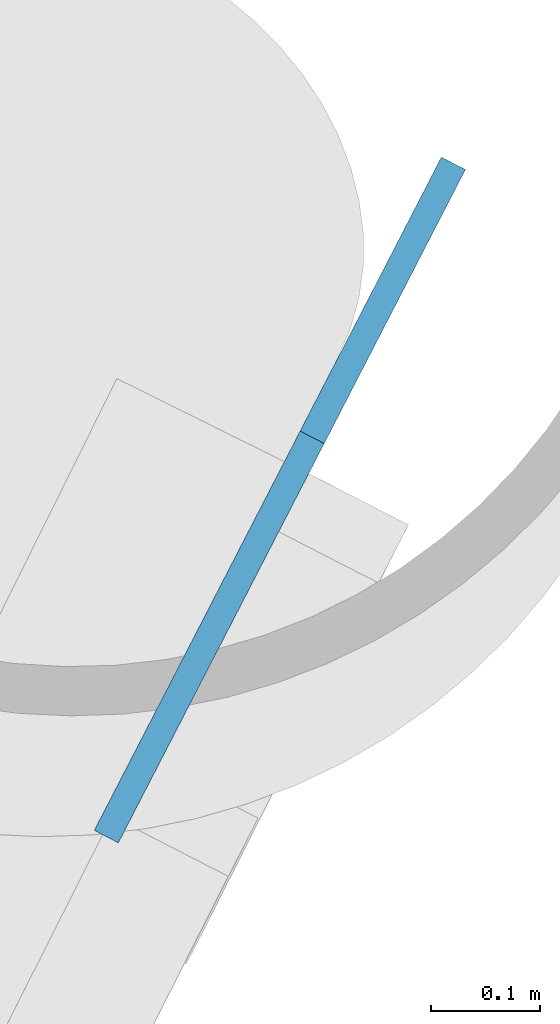
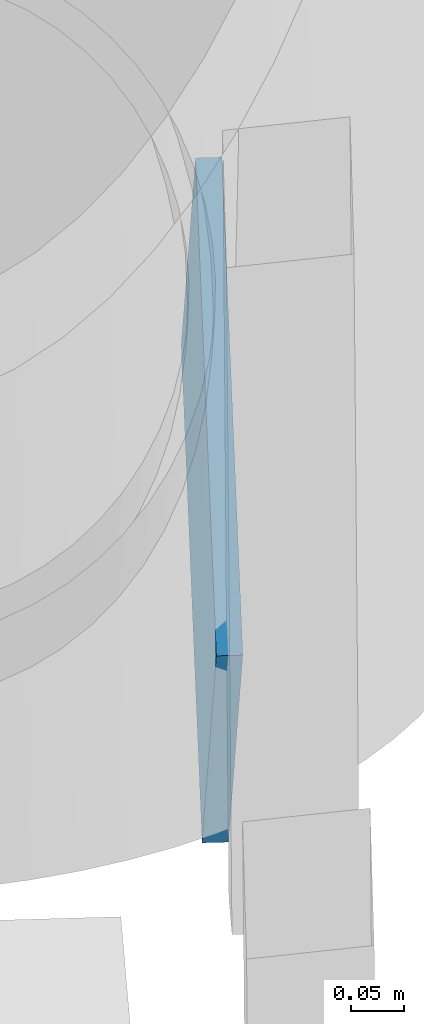
# One storey, part 15 of 24: 1 discrete accessory.
"""IFC4 building model written with IfcOpenShell, lengths in metres."""

import ifcopenshell
import ifcopenshell.guid

model = None  # the IFC model being written
_history = None  # IfcOwnerHistory: only IFC2X3 demands one
_inside = {}  # id of a spatial element -> (the spatial element, [elements in it])
_under = {}  # id of a project, library or spatial element -> (it, [spatial elements below it])
_declared = {}  # id of a project -> (the project, [libraries it declares])
_typed = {}  # id of a type object -> (the type object, [elements of that type])
_made_of = {}  # id of a material, layer set ... -> (it, [elements and type objects made of it])


def new_model(schema):
    """Start an empty IFC model of exactly this schema.

    Asked for "IFC4X3", IfcOpenShell would pick the latest addendum, in which some entities
    have other attributes; the version numbers below select the first issue.
    IFC2X3 requires an IfcOwnerHistory on every rooted entity: one is made here for all.
    """
    global model, _history
    if schema == "IFC4X3":
        model = ifcopenshell.file(schema_version=(4, 3, 0, 0))
    else:
        model = ifcopenshell.file(schema=schema)
    _inside.clear()
    _under.clear()
    _declared.clear()
    _typed.clear()
    _made_of.clear()
    _history = None
    if model.schema == "IFC2X3":
        org = make("IfcOrganization", Name="unknown")
        user = make(
            "IfcPersonAndOrganization",
            ThePerson=make("IfcPerson", FamilyName="unknown"),
            TheOrganization=org,
        )
        app = make(
            "IfcApplication",
            ApplicationDeveloper=org,
            Version="unknown",
            ApplicationFullName="unknown",
            ApplicationIdentifier="unknown",
        )
        _history = make(
            "IfcOwnerHistory",
            OwningUser=user,
            OwningApplication=app,
            ChangeAction="ADDED",
            CreationDate=0,
        )
    return model


def make(cls, **values):
    """One entity of the class cls with the attributes given. An attribute that is None is left unset."""
    return model.create_entity(
        cls, **{name: value for name, value in values.items() if value is not None}
    )


def rooted(cls, **values):
    """An entity with a GlobalId (a new one), such as an element, a storey or a relation."""
    return make(cls, GlobalId=ifcopenshell.guid.new(), OwnerHistory=_history, **values)


def si_unit(unit_type, name, prefix=None):
    """IfcSIUnit, for example si_unit("LENGTHUNIT", "METRE", prefix="MILLI")."""
    return make("IfcSIUnit", UnitType=unit_type, Prefix=prefix, Name=name)


def assignment(units):
    """IfcUnitAssignment: the units of a project."""
    return None if units is None else make("IfcUnitAssignment", Units=units)


def point(xyz):
    """IfcCartesianPoint."""
    return None if xyz is None else make("IfcCartesianPoint", Coordinates=xyz)


def direction(xyz):
    """IfcDirection."""
    return None if xyz is None else make("IfcDirection", DirectionRatios=xyz)


def frame(location, z_axis=None, x_axis=None):
    """IfcAxis2Placement3D, a coordinate frame: its origin and axes. An axis left out is left unset."""
    return make(
        "IfcAxis2Placement3D",
        Location=point(location),
        Axis=direction(z_axis),
        RefDirection=direction(x_axis),
    )


def frame_2d(location, x_axis=None):
    """IfcAxis2Placement2D, a coordinate frame in the plane: its origin and x axis."""
    return make(
        "IfcAxis2Placement2D", Location=point(location), RefDirection=direction(x_axis)
    )


def origin():
    """The frame at (0, 0, 0) with its axes left unset."""
    return frame((0.0, 0.0, 0.0))


def origin_2d():
    """The frame at (0, 0) in the plane with its x axis left unset."""
    return frame_2d((0.0, 0.0))


def place(relative_to, where):
    """IfcLocalPlacement: puts the frame where relative to a parent placement (None: the world)."""
    return make(
        "IfcLocalPlacement", PlacementRelTo=relative_to, RelativePlacement=where
    )


def context(
    kind, dimensions, precision=None, world=None, true_north=None, identifier=None
):
    """IfcGeometricRepresentationContext, for example the 3D "Model" context."""
    return make(
        "IfcGeometricRepresentationContext",
        ContextIdentifier=identifier,
        ContextType=kind,
        CoordinateSpaceDimension=dimensions,
        Precision=precision,
        WorldCoordinateSystem=world,
        TrueNorth=true_north,
    )


def subcontext(parent, identifier, kind, view, scale=None):
    """IfcGeometricRepresentationSubContext, for example "Body" below "Model"."""
    return make(
        "IfcGeometricRepresentationSubContext",
        ContextIdentifier=identifier,
        ContextType=kind,
        ParentContext=parent,
        TargetScale=scale,
        TargetView=view,
    )


def project(units=None, contexts=None):
    """IfcProject with its units and contexts."""
    return rooted(
        "IfcProject",
        Name="project",
        RepresentationContexts=contexts,
        UnitsInContext=assignment(units),
    )


def spatial(cls, under=None, at=None, **own):
    """A site, building, storey or space (cls), placed at a placement, below another one or the project."""
    s = rooted(cls, ObjectPlacement=at, **own)
    if under is not None:
        _under.setdefault(under.id(), (under, []))[1].append(s)
    return s


def profile(cls, at=None, kind="AREA", **sizes):
    """A parametric profile (cls). Its sizes go by their IFC names, for example OverallWidth=200.0."""
    return make(cls, ProfileType=kind, Position=at, **sizes)


def rectangle(**sizes):
    """IfcRectangleProfileDef."""
    return profile("IfcRectangleProfileDef", **sizes)


def extrude(swept, where, along, depth):
    """IfcExtrudedAreaSolid: the profile swept, set in the frame where, extruded along a direction by depth."""
    return make(
        "IfcExtrudedAreaSolid",
        SweptArea=swept,
        Position=where,
        ExtrudedDirection=direction(along),
        Depth=depth,
    )


def shape(context_of_items, identifier, shape_type, items):
    """IfcShapeRepresentation: the items that make up one representation, for example the "Body"."""
    return make(
        "IfcShapeRepresentation",
        ContextOfItems=context_of_items,
        RepresentationIdentifier=identifier,
        RepresentationType=shape_type,
        Items=items,
    )


def material(Name=None, Category=None):
    """IfcMaterial."""
    return make("IfcMaterial", Name=Name, Category=Category)


def material_profile(
    of_material, cross_section, Name=None, Category=None, Priority=None
):
    """IfcMaterialProfile: a cross section and its material."""
    return make(
        "IfcMaterialProfile",
        Name=Name,
        Material=of_material,
        Profile=cross_section,
        Priority=Priority,
        Category=Category,
    )


def profile_set(profiles, Name=None, composite=None):
    """IfcMaterialProfileSet."""
    return make(
        "IfcMaterialProfileSet",
        Name=Name,
        MaterialProfiles=profiles,
        CompositeProfile=composite,
    )


def made_of(thing, what):
    """Note that an element or type object is made of a material, layer set ...; save() writes the relation."""
    if what is not None:
        _made_of.setdefault(what.id(), (what, []))[1].append(thing)
    return thing


def type_object(cls, material=None, **own):
    """A type object (cls), such as IfcWallType, which elements share."""
    return made_of(rooted(cls, **own), material)


def element(
    cls,
    number,
    at=None,
    inside=None,
    cuts=None,
    type_object=None,
    material=None,
    context=None,
    identifier="Body",
    shape_type=None,
    held_by="IfcProductDefinitionShape",
    body=None,
    shapes=None,
    **own,
):
    """One element of the class cls, such as IfcWall. Its Tag is "e" and its number.

    at: its placement. inside: the storey or other place that contains it. cuts: it is an
    opening in that element (IfcRelVoidsElement). A single representation is given by context,
    identifier, shape_type and body (its items); several are given by shapes. held_by: the class
    of the entity that holds the representations. save() writes the other relations.
    """
    e = rooted(cls, Tag="e%d" % number, ObjectPlacement=at, **own)
    if body is not None:
        shapes = [shape(context, identifier, shape_type, body)]
    if shapes is not None:
        e.Representation = make(held_by, Representations=shapes)
    if inside is not None:
        _inside.setdefault(inside.id(), (inside, []))[1].append(e)
    if cuts is not None:
        rooted(
            "IfcRelVoidsElement", RelatingBuildingElement=cuts, RelatedOpeningElement=e
        )
    if type_object is not None:
        _typed.setdefault(type_object.id(), (type_object, []))[1].append(e)
    return made_of(e, material)


def aggregate(whole, parts):
    """IfcRelAggregates: a whole, such as a stair, and the parts it consists of."""
    return rooted("IfcRelAggregates", RelatingObject=whole, RelatedObjects=parts)


def save(model, path):
    """Write the relations noted so far, then the file.

    IfcRelAggregates (storeys below a building ...), IfcRelContainedInSpatialStructure (elements
    in a storey), IfcRelDefinesByType, IfcRelAssociatesMaterial and IfcRelDeclares: one each for
    every whole, place, type object, material and project.
    """
    for whole, parts in _under.values():
        aggregate(whole, parts)
    for where, things in _inside.values():
        rooted(
            "IfcRelContainedInSpatialStructure",
            RelatedElements=things,
            RelatingStructure=where,
        )
    for kind, things in _typed.values():
        rooted("IfcRelDefinesByType", RelatedObjects=things, RelatingType=kind)
    for what, things in _made_of.values():
        rooted("IfcRelAssociatesMaterial", RelatedObjects=things, RelatingMaterial=what)
    for by, libraries in _declared.values():
        rooted("IfcRelDeclares", RelatingContext=by, RelatedDefinitions=libraries)
    model.write(path)


model = new_model("IFC4")

# Units and contexts
model_context = context("Model", 3, precision=1e-05, world=origin(), true_north=direction((0.0, 1.0)))
body_context = subcontext(model_context, "Body", "Model", "MODEL_VIEW")
ifc_project = project(units=[si_unit("LENGTHUNIT", "METRE"), si_unit("AREAUNIT", "SQUARE_METRE"), si_unit("VOLUMEUNIT", "CUBIC_METRE"), si_unit("PLANEANGLEUNIT", "RADIAN"), si_unit("MASSUNIT", "GRAM", prefix="KILO")], contexts=[model_context])

# Site, building, storey
site_placement = place(None, origin())
site = spatial("IfcSite", under=ifc_project, at=site_placement, CompositionType="ELEMENT")
building_placement = place(site_placement, origin())
building = spatial("IfcBuilding", under=site, at=building_placement, Name="Tarsis Ring Headquarters", CompositionType="ELEMENT")
storey_placement = place(building_placement, frame((0.0, 0.0, 92.800048828125)))
storey = spatial("IfcBuildingStorey", under=building, at=storey_placement, Name="L20", CompositionType="ELEMENT", Elevation=92.800048828125)

# Discrete accessory
ifc_material = material(Name="Structural steel S355", Category="steel")
ifc_material_profile = material_profile(ifc_material, rectangle(XDim=0.02490234375, YDim=0.5, at=origin_2d()), Name="PL 25x500")
ifc_profile_set = profile_set([ifc_material_profile], Name="Structural steel S355")
discrete_accessory_type = type_object("IfcDiscreteAccessoryType", Name="Gusset plate Exo brace 25", PredefinedType="BRACKET", material=ifc_profile_set)
discrete_accessory_placement = place(storey_placement, frame((28.343017578125, -7.655029296875, 0.0), z_axis=(-0.259237852008, -0.502853083933, 0.824581416275), x_axis=(0.888836118562, -0.458225222288, 0.0)))
element("IfcDiscreteAccessory", 1, at=discrete_accessory_placement, inside=storey, type_object=discrete_accessory_type, Name="Gusset plate GP5", PredefinedType="BRACKET", context=body_context, shape_type="SweptSolid", body=[
    extrude(rectangle(XDim=0.02490234375, YDim=0.5, at=origin_2d()), origin(), (0.0, 0.0, 1.0), 0.5),
])

save(model, "model.ifc")
